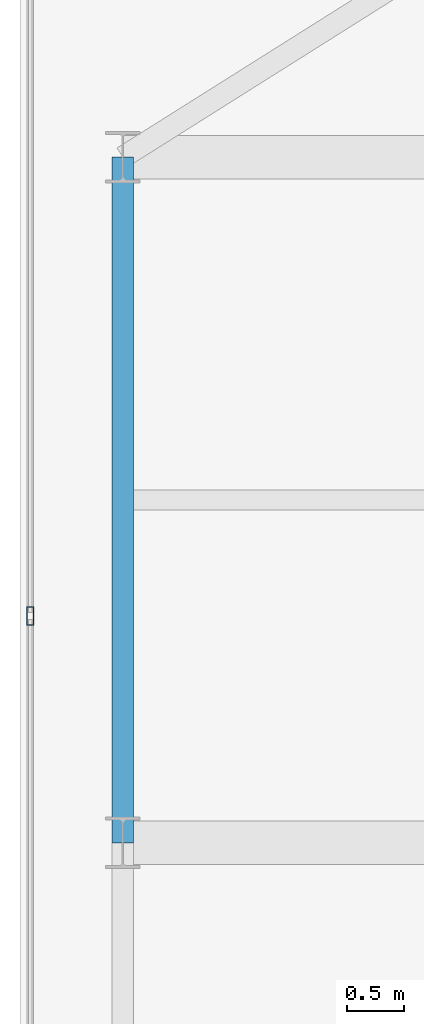
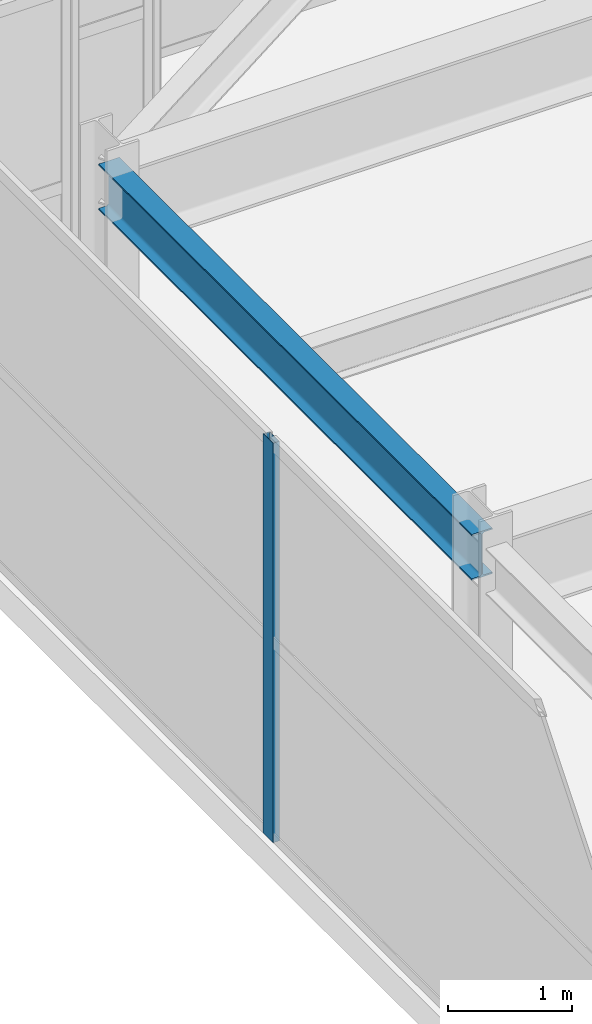
# One storey, part 13 of 32: 1 beam, 1 member, 1 element without a shape of its own.
"""IFC4 building model written with IfcOpenShell, lengths in metres."""

from ifc_helpers import new_model, si_unit, direction, frame, origin, origin_2d, place, context, subcontext, project, spatial, hollow_rectangle, i_section, extrude, source, transform, mapped, material, layer, layer_set, material_profile, profile_set, type_object, element, aggregate, save


model = new_model("IFC4")

# Units and contexts
model_context = context("Model", 3, precision=1e-05, world=origin(), true_north=direction((0.0, 1.0)))
body_context = subcontext(model_context, "Body", "Model", "MODEL_VIEW")
ifc_project = project(units=[si_unit("LENGTHUNIT", "METRE"), si_unit("AREAUNIT", "SQUARE_METRE"), si_unit("VOLUMEUNIT", "CUBIC_METRE"), si_unit("PLANEANGLEUNIT", "RADIAN"), si_unit("MASSUNIT", "GRAM", prefix="KILO")], contexts=[model_context])

# Site, building, storey
site_placement = place(None, origin())
site = spatial("IfcSite", under=ifc_project, at=site_placement, CompositionType="ELEMENT")
building_placement = place(site_placement, origin())
building = spatial("IfcBuilding", under=site, at=building_placement, Name="Khoralis Quay Care Tower", CompositionType="ELEMENT")
storey_placement = place(building_placement, frame((0.0, 0.0, 297.89990234375)))
storey = spatial("IfcBuildingStorey", under=building, at=storey_placement, Name="L78", CompositionType="ELEMENT", Elevation=297.89990234375)

# Beam
ifc_material_1 = material(Name="Steel S355", Category="steel")
ifc_material_profile_1 = material_profile(ifc_material_1, i_section(OverallWidth=0.18994140625, OverallDepth=0.449951171875, WebThickness=0.009521484375, FlangeThickness=0.0146484375, FilletRadius=0.02099609375, at=origin_2d()), Name="Steel S355")
ifc_profile_set_1 = profile_set([ifc_material_profile_1], Name="Steel S355")
beam_type = type_object("IfcBeamType", Name="BM-IPE450", PredefinedType="SPANDREL", material=ifc_profile_set_1)
shared_shape_1 = source(origin(), body_context, "Body", "SweptSolid", [
    extrude(i_section(OverallWidth=0.18994140625, OverallDepth=0.449951171875, WebThickness=0.009521484375, FlangeThickness=0.0146484375, FilletRadius=0.02099609375, at=origin_2d()), origin(), (0.0, 0.0, 1.0), 6.0),
])
beam_placement = place(storey_placement, frame((3.89990234375, 30.0, 3.695068359375), z_axis=(0.0, 1.0, 0.0), x_axis=(-1.0, 0.0, 0.0)))
element("IfcBeam", 1, at=beam_placement, inside=storey, type_object=beam_type, Name="BM-TSP-L78-12", PredefinedType="SPANDREL", context=body_context, shape_type="MappedRepresentation", body=[
    mapped(shared_shape_1, transform((0.0, 0.0, 0.0), scale=1.0)),
])

# Curtain wall, member
ifc_material_2 = material(Name="Pale anodised aluminium", Category="aluminium")
ifc_layer = layer(ifc_material_2, 0.199951171875)
ifc_layer_set = layer_set([ifc_layer], Name="Pale anodised aluminium")
curtain_wall_type = type_object("IfcCurtainWallType", Name="CW-SYS-LANTERN", PredefinedType="NOTDEFINED", material=ifc_layer_set)
curtain_wall_placement = place(storey_placement, origin())
curtain_wall = element("IfcCurtainWall", 2, at=curtain_wall_placement, inside=storey, type_object=curtain_wall_type, Name="L78 Unitised Curtain Wall CW-LN-L78-16", PredefinedType="NOTDEFINED")
ifc_material_profile_2 = material_profile(ifc_material_2, hollow_rectangle(XDim=0.06005859375, YDim=0.159912109375, WallThickness=0.00390625, at=origin_2d()), Name="Pale anodised aluminium")
ifc_profile_set_2 = profile_set([ifc_material_profile_2], Name="Pale anodised aluminium")
member_type = type_object("IfcMemberType", Name="CW-MUL-160", PredefinedType="MULLION", material=ifc_profile_set_2)
shared_shape_2 = source(origin(), body_context, "Body", "SweptSolid", [
    extrude(hollow_rectangle(XDim=0.06005859375, YDim=0.159912109375, WallThickness=0.00390625, at=origin_2d()), origin(), (0.0, 0.0, 1.0), 3.920166015625),
])
member_placement = place(storey_placement, frame((3.090087890625, 31.986083984375, 0.0), z_axis=(0.0, 0.0, 1.0), x_axis=(1.0, 0.0, 0.0)))
member = element("IfcMember", 3, at=member_placement, type_object=member_type, Name="CW5 mullion 2", PredefinedType="MULLION", context=body_context, shape_type="MappedRepresentation", body=[
    mapped(shared_shape_2, transform((0.0, 0.0, 0.0), scale=1.0)),
])
aggregate(curtain_wall, [member])

save(model, "model.ifc")
